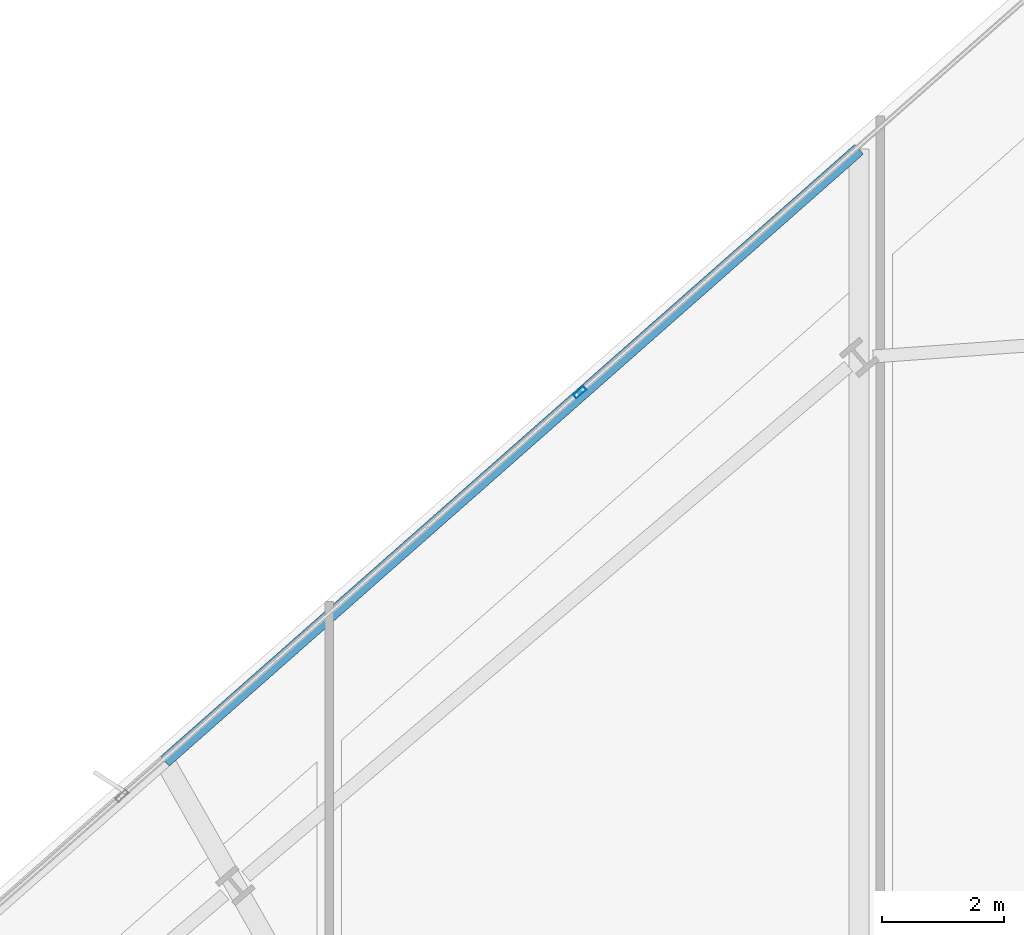
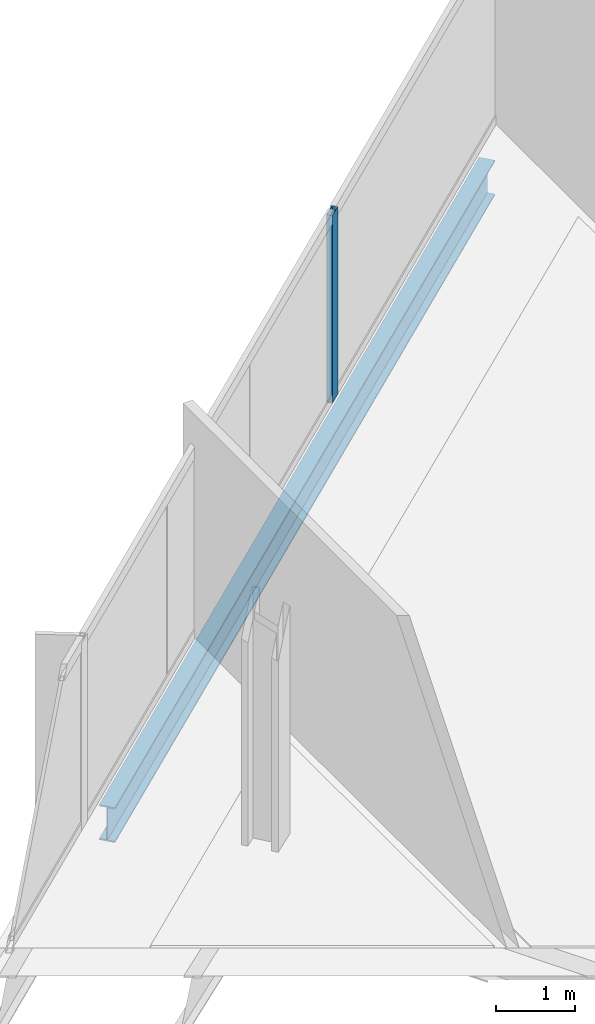
# One storey, part 18 of 34: 1 beam, 1 member, 1 element without a shape of its own.
"""IFC4 building model written with IfcOpenShell, lengths in metres."""

from ifc_helpers import new_model, si_unit, direction, frame, origin, origin_2d, place, context, subcontext, project, spatial, hollow_rectangle, i_section, extrude, material, material_profile, profile_set, type_object, element, aggregate, save


model = new_model("IFC4")

# Units and contexts
model_context = context("Model", 3, precision=1e-05, world=origin(), true_north=direction((0.0, 1.0)))
body_context = subcontext(model_context, "Body", "Model", "MODEL_VIEW")
ifc_project = project(units=[si_unit("LENGTHUNIT", "METRE"), si_unit("AREAUNIT", "SQUARE_METRE"), si_unit("VOLUMEUNIT", "CUBIC_METRE"), si_unit("PLANEANGLEUNIT", "RADIAN"), si_unit("MASSUNIT", "GRAM", prefix="KILO")], contexts=[model_context])

# Site, building, storey
site_placement = place(None, origin())
site = spatial("IfcSite", under=ifc_project, at=site_placement, CompositionType="ELEMENT")
building_placement = place(site_placement, origin())
building = spatial("IfcBuilding", under=site, at=building_placement, Name="Haldenkirk Collegiate Tower", CompositionType="ELEMENT")
storey_placement = place(building_placement, frame((0.0, 0.0, 166.949951171875)))
storey = spatial("IfcBuildingStorey", under=building, at=storey_placement, Name="L41", CompositionType="ELEMENT", Elevation=166.949951171875)

# Beam
ifc_material_1 = material(Name="Steel ASTM A992 Grade 50", Category="steel")
ifc_material_profile_1 = material_profile(ifc_material_1, i_section(OverallWidth=0.2119140625, OverallDepth=0.5439453125, WebThickness=0.01318359375, FlangeThickness=0.021240234375, at=origin_2d()), Name="W21X83")
ifc_profile_set_1 = profile_set([ifc_material_profile_1], Name="Steel ASTM A992 Grade 50")
beam_type = type_object("IfcBeamType", Name="BM-SPANDREL-W21X83", PredefinedType="SPANDREL", material=ifc_profile_set_1)
beam_placement = place(storey_placement, frame((32.657470703125, 54.02197265625, -0.56201171875), z_axis=(-0.750106752738, -0.661316761844, 0.0), x_axis=(0.661316761844, -0.750106752738, 0.0)))
element("IfcBeam", 1, at=beam_placement, inside=storey, type_object=beam_type, Name="L41 outer facade edge beam 3A", PredefinedType="SPANDREL", context=body_context, shape_type="SweptSolid", body=[
    extrude(i_section(OverallWidth=0.2119140625, OverallDepth=0.5439453125, WebThickness=0.01318359375, FlangeThickness=0.021240234375, at=origin_2d()), origin(), (0.0, 0.0, 1.0), 15.125732421875),
])

# Curtain wall, member
ifc_material_2 = material(Name="Anodised architectural bronze aluminium", Category="aluminium")
curtain_wall_type = type_object("IfcCurtainWallType", Name="CW-SYS1-CONVEX-LOW", PredefinedType="USERDEFINED", material=ifc_material_2)
curtain_wall_placement = place(storey_placement, origin())
curtain_wall = element("IfcCurtainWall", 2, at=curtain_wall_placement, inside=storey, type_object=curtain_wall_type, Name="L41 Lower tower convex bronze-framed unitised curtain wall", ObjectType="UNITISED CURTAIN WALL", PredefinedType="USERDEFINED")
ifc_material_profile_2 = material_profile(ifc_material_2, hollow_rectangle(XDim=0.080078125, YDim=0.219970703125, WallThickness=0.0048828125, at=origin_2d()), Name="CW-MUL-1A")
ifc_profile_set_2 = profile_set([ifc_material_profile_2], Name="Anodised architectural bronze aluminium")
member_type = type_object("IfcMemberType", Name="CW-MUL-1A", PredefinedType="MULLION", material=ifc_profile_set_2)
member_placement = place(storey_placement, frame((28.093505859375, 50.0517578125, 0.0), z_axis=(0.0, 0.0, 1.0), x_axis=(-0.661310403519, 0.750112358382, 0.0)))
member = element("IfcMember", 3, at=member_placement, type_object=member_type, Name="CW-1A mullion 4", PredefinedType="MULLION", context=body_context, shape_type="SweptSolid", body=[
    extrude(hollow_rectangle(XDim=0.080078125, YDim=0.219970703125, WallThickness=0.0048828125, at=origin_2d()), origin(), (0.0, 0.0, 1.0), 2.9111328125),
])
aggregate(curtain_wall, [member])

save(model, "model.ifc")
